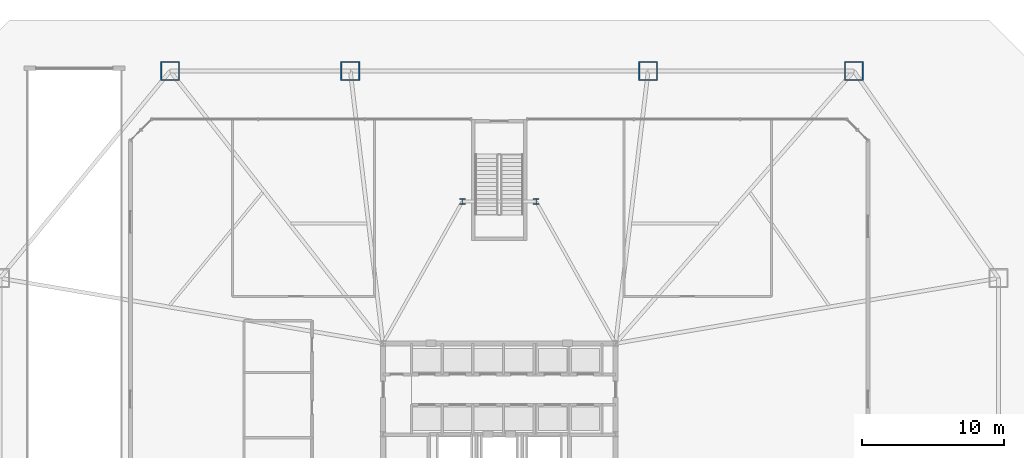
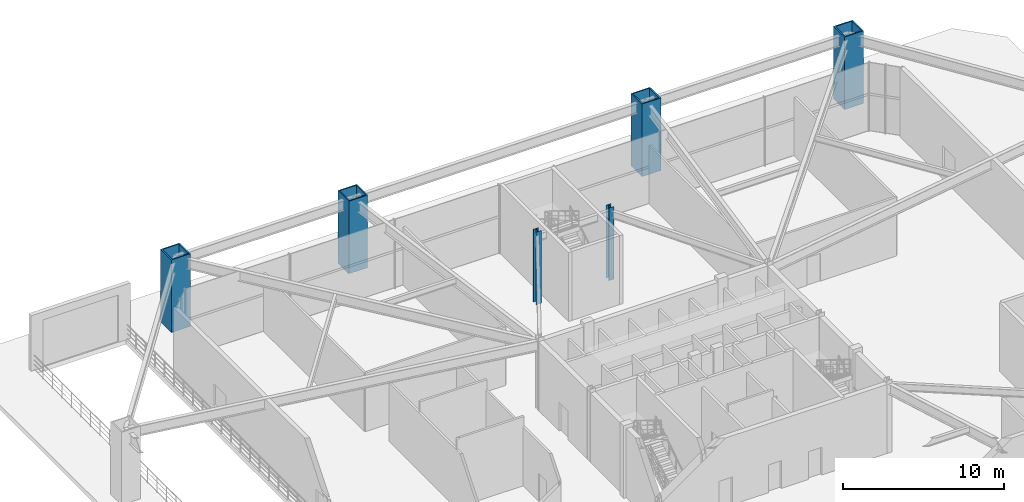
# One storey, part 3 of 20: 6 columns.
"""IFC4 building model written with IfcOpenShell, lengths in metres."""

from ifc_helpers import new_model, si_unit, direction, frame, origin, origin_2d, place, context, subcontext, project, spatial, hollow_rectangle, i_section, extrude, material, material_profile, profile_set, type_object, element, save


model = new_model("IFC4")

# Units and contexts
model_context = context("Model", 3, precision=1e-05, world=origin(), true_north=direction((0.0, 1.0)))
body_context = subcontext(model_context, "Body", "Model", "MODEL_VIEW")
ifc_project = project(units=[si_unit("LENGTHUNIT", "METRE"), si_unit("AREAUNIT", "SQUARE_METRE"), si_unit("VOLUMEUNIT", "CUBIC_METRE"), si_unit("PLANEANGLEUNIT", "RADIAN"), si_unit("MASSUNIT", "GRAM", prefix="KILO")], contexts=[model_context])

# Site, building, storey
site_placement = place(None, origin())
site = spatial("IfcSite", under=ifc_project, at=site_placement, CompositionType="ELEMENT")
building_placement = place(site_placement, origin())
building = spatial("IfcBuilding", under=site, at=building_placement, Name="Varakhsha Concourse Tower", CompositionType="ELEMENT")
storey_placement = place(building_placement, origin())
storey = spatial("IfcBuildingStorey", under=building, at=storey_placement, Name="L01", CompositionType="ELEMENT", Elevation=0.0)

# Columns
ifc_material_1 = material(Name="Structural Steel ASTM A992 Grade 50", Category="steel")
ifc_material_profile_1 = material_profile(ifc_material_1, i_section(OverallWidth=0.3740234375, OverallDepth=0.3720703125, WebThickness=0.01611328125, FlangeThickness=0.02587890625, at=origin_2d()), Name="W14X132")
ifc_profile_set_1 = profile_set([ifc_material_profile_1], Name="Structural Steel ASTM A992 Grade 50")
column_type_1 = type_object("IfcColumnType", Name="CL-CORE-W14X132", PredefinedType="COLUMN", material=ifc_profile_set_1)
for number, where, z_axis, x_axis, name in (
    (1, (37.39990234375, 41.199951171875, 0.0), (0.0, 0.0, 1.0), (1.0, 0.0, 0.0), "L01 Core Column NS-W"),
    (2, (42.60009765625, 41.199951171875, 0.0), (0.0, 0.0, 1.0), (1.0, 0.0, 0.0), "L01 Core Column NS-E"),
):
    element("IfcColumn", number, at=place(storey_placement, frame(where, z_axis=z_axis, x_axis=x_axis)), inside=storey, type_object=column_type_1, Name=name, PredefinedType="COLUMN", context=body_context, shape_type="SweptSolid", body=[
        extrude(i_section(OverallWidth=0.3740234375, OverallDepth=0.3720703125, WebThickness=0.01611328125, FlangeThickness=0.02587890625, at=origin_2d()), origin(), (0.0, 0.0, 1.0), 5.5),
    ])
ifc_material_2 = material(Name="Structural Steel ASTM A572 Grade 50", Category="steel")
ifc_material_profile_2 = material_profile(ifc_material_2, hollow_rectangle(XDim=1.35009765625, YDim=1.35009765625, WallThickness=0.0849609375, at=origin_2d()), Name="BOX 1350x1350x85")
ifc_profile_set_2 = profile_set([ifc_material_profile_2], Name="Structural Steel ASTM A572 Grade 50")
column_type_2 = type_object("IfcColumnType", Name="CL-STILT-1350", PredefinedType="COLUMN", material=ifc_profile_set_2)
for number, where, z_axis, x_axis, name in (
    (3, (16.800048828125, 50.39990234375, 0.0), (0.0, 0.0, 1.0), (1.0, 0.0, 0.0), "L01 Open Perimeter Box Stilt PC-N1"),
    (4, (29.5, 50.39990234375, 0.0), (0.0, 0.0, 1.0), (1.0, 0.0, 0.0), "L01 Open Perimeter Box Stilt PC-N2"),
    (5, (50.5, 50.39990234375, 0.0), (0.0, 0.0, 1.0), (1.0, 0.0, 0.0), "L01 Open Perimeter Box Stilt PC-N3"),
    (6, (65.0, 50.39990234375, 0.0), (0.0, 0.0, 1.0), (1.0, 0.0, 0.0), "L01 Open Perimeter Box Stilt PC-N4"),
):
    element("IfcColumn", number, at=place(storey_placement, frame(where, z_axis=z_axis, x_axis=x_axis)), inside=storey, type_object=column_type_2, Name=name, PredefinedType="COLUMN", context=body_context, shape_type="SweptSolid", body=[
        extrude(hollow_rectangle(XDim=1.35009765625, YDim=1.35009765625, WallThickness=0.0849609375, at=origin_2d()), origin(), (0.0, 0.0, 1.0), 5.5),
    ])

save(model, "model.ifc")
